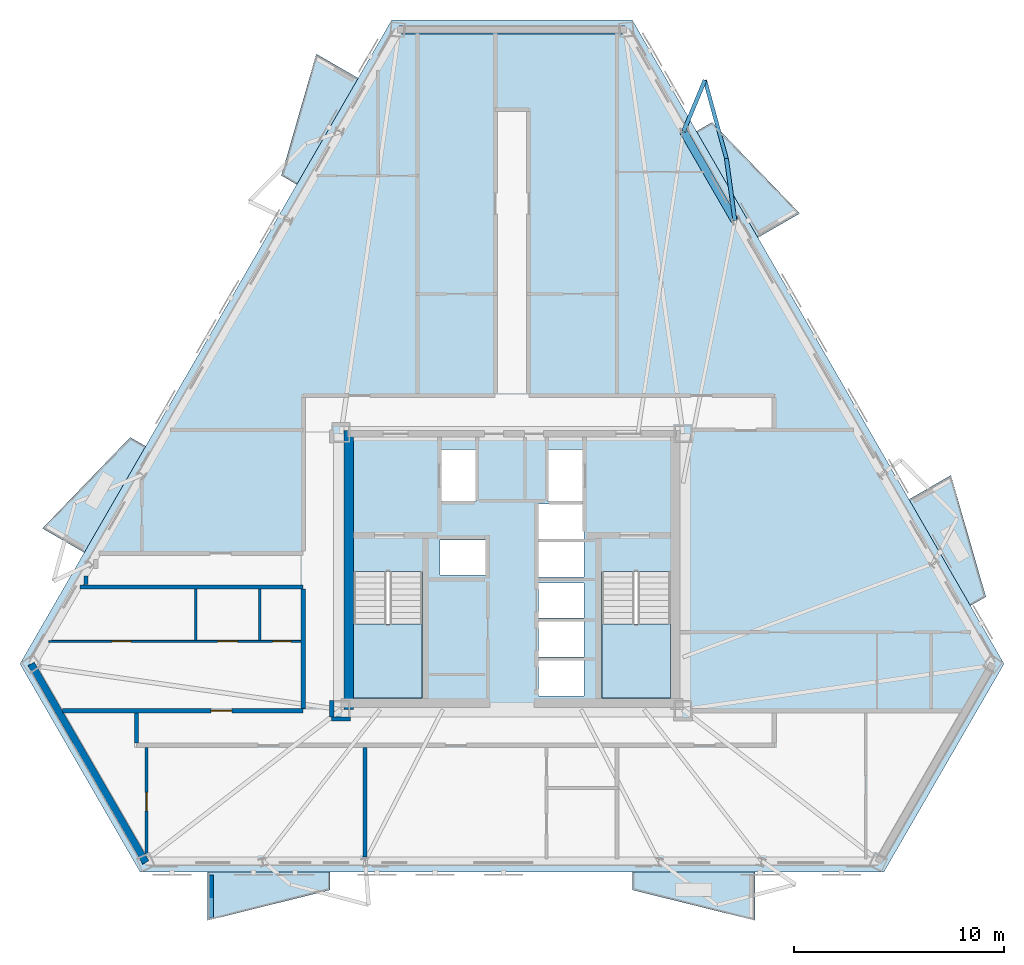
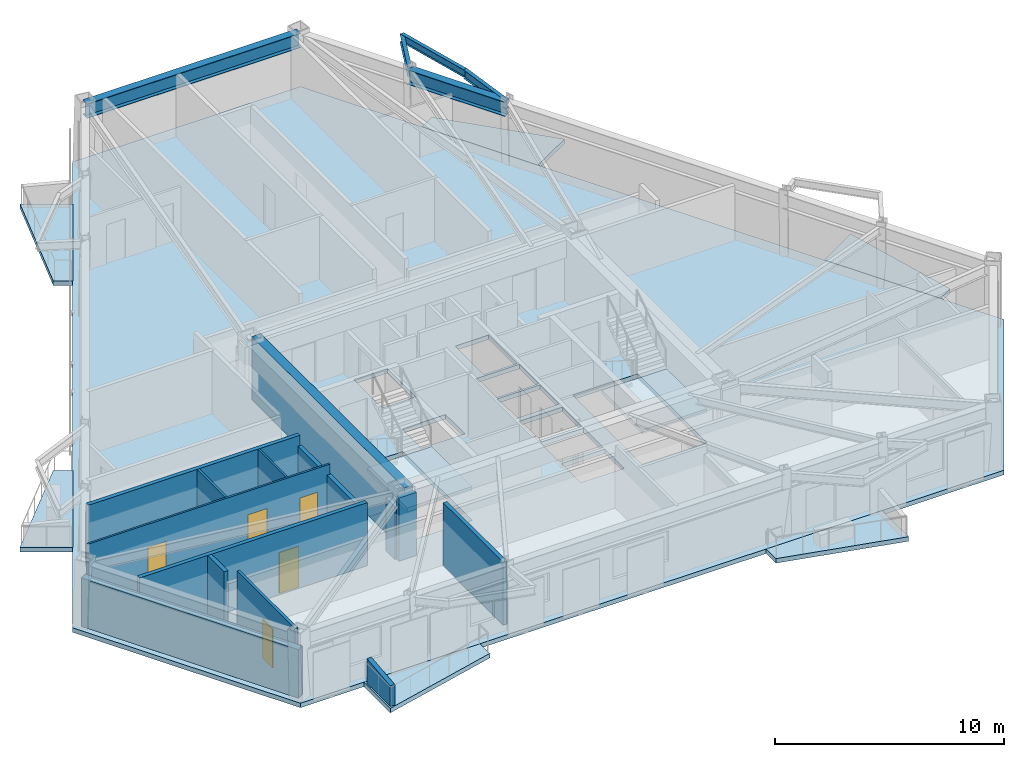
# One storey, part 2 of 9: 15 walls, 9 slabs, 5 beams, 5 doors, 5 openings, 2 elements without a shape of their own.
"""IFC4 building model written with IfcOpenShell, lengths in metres."""

from ifc_helpers import new_model, si_unit, direction, frame, frame_2d, origin, origin_2d, place, context, subcontext, project, spatial, polyline, rectangle, i_section, outline, extrude, material, layer, layer_set, material_profile, profile_set, type_object, element, fill, aggregate, save


model = new_model("IFC4")

# Units and contexts
model_context = context("Model", 3, precision=1e-05, world=origin(), true_north=direction((0.0, 1.0)))
body_context = subcontext(model_context, "Body", "Model", "MODEL_VIEW")
ifc_project = project(units=[si_unit("LENGTHUNIT", "METRE"), si_unit("AREAUNIT", "SQUARE_METRE"), si_unit("VOLUMEUNIT", "CUBIC_METRE"), si_unit("PLANEANGLEUNIT", "RADIAN"), si_unit("MASSUNIT", "GRAM", prefix="KILO")], contexts=[model_context])

# Site, building, storey
site_placement = place(None, origin())
site = spatial("IfcSite", under=ifc_project, at=site_placement, CompositionType="ELEMENT")
building_placement = place(site_placement, origin())
building = spatial("IfcBuilding", under=site, at=building_placement, Name="Oramaril Tower", CompositionType="ELEMENT")
storey_placement = place(building_placement, frame((0.0, 0.0, 119.39990234375)))
storey = spatial("IfcBuildingStorey", under=building, at=storey_placement, Name="L31", CompositionType="ELEMENT", Elevation=119.39990234375)

# Beams
ifc_material_1 = material(Name="Steel ASTM A572 Gr 50", Category="steel")
ifc_material_profile_1 = material_profile(ifc_material_1, i_section(OverallWidth=0.19091796875, OverallDepth=0.45703125, WebThickness=0.009033203125, FlangeThickness=0.014404296875, at=origin_2d()), Name="W18X50")
ifc_profile_set_1 = profile_set([ifc_material_profile_1], Name="Steel ASTM A572 Gr 50")
beam_type_1 = type_object("IfcBeamType", Name="BT-BB1", PredefinedType="BEAM", material=ifc_profile_set_1)
beam_1_placement = place(storey_placement, frame((48.1220703125, 34.309814453125, 3.131591796875), z_axis=(-0.135368856864, 0.990795272794, 0.0), x_axis=(-0.990795272794, -0.135368856864, 0.0)))
element("IfcBeam", 1, at=beam_1_placement, inside=storey, type_object=beam_type_1, Name="L31 Balcony Column-Framed Cantilever 04.1", PredefinedType="BEAM", context=body_context, shape_type="SweptSolid", body=[
    extrude(i_section(OverallWidth=0.19091796875, OverallDepth=0.45703125, WebThickness=0.009033203125, FlangeThickness=0.014404296875, at=origin_2d()), origin(), (0.0, 0.0, 1.0), 2.98291015625),
])
beam_2_placement = place(storey_placement, frame((45.673583984375, 38.550537109375, 3.131591796875), z_axis=(0.385190565958, 0.922837053816, 0.0), x_axis=(-0.922837053816, 0.385190565958, 0.0)))
element("IfcBeam", 2, at=beam_2_placement, inside=storey, type_object=beam_type_1, Name="L31 Balcony Column-Framed Cantilever 04.2", PredefinedType="BEAM", context=body_context, shape_type="SweptSolid", body=[
    extrude(i_section(OverallWidth=0.19091796875, OverallDepth=0.45703125, WebThickness=0.009033203125, FlangeThickness=0.014404296875, at=origin_2d()), origin(), (0.0, 0.0, 1.0), 2.65185546875),
])
ifc_material_2 = material(Name="Steel ASTM A572 Gr 50", Category="steel")
ifc_material_profile_2 = material_profile(ifc_material_2, i_section(OverallWidth=0.177978515625, OverallDepth=0.404052734375, WebThickness=0.007568359375, FlangeThickness=0.010986328125, at=origin_2d()), Name="W16X36")
ifc_profile_set_2 = profile_set([ifc_material_profile_2], Name="Steel ASTM A572 Gr 50")
beam_type_2 = type_object("IfcBeamType", Name="BT-SB1", PredefinedType="BEAM", material=ifc_profile_set_2)
beam_3_placement = place(storey_placement, frame((47.71826171875, 37.265380859375, 3.158203125), z_axis=(-0.264382243015, 0.964417974521, 0.0), x_axis=(-0.964417974521, -0.264382243015, 0.0)))
element("IfcBeam", 3, at=beam_3_placement, inside=storey, type_object=beam_type_2, Name="L31 Balcony Edge Tie Beam 04", PredefinedType="BEAM", context=body_context, shape_type="SweptSolid", body=[
    extrude(i_section(OverallWidth=0.177978515625, OverallDepth=0.404052734375, WebThickness=0.007568359375, FlangeThickness=0.010986328125, at=origin_2d()), origin(), (0.0, 0.0, 1.0), 3.8701171875),
])
ifc_material_3 = material(Name="Steel ASTM A572 Gr 50", Category="steel")
ifc_material_profile_3 = material_profile(ifc_material_3, i_section(OverallWidth=0.381103515625, OverallDepth=0.77197265625, WebThickness=0.0166015625, FlangeThickness=0.027099609375, at=origin_2d()), Name="W30X173")
ifc_profile_set_3 = profile_set([ifc_material_profile_3], Name="Steel ASTM A572 Gr 50")
beam_type_3 = type_object("IfcBeamType", Name="BT-SP2", PredefinedType="SPANDREL", material=ifc_profile_set_3)
beam_4_placement = place(storey_placement, frame((48.1220703125, 34.309814453125, 2.97412109375), z_axis=(-0.500015922655, 0.86601621064, 0.0), x_axis=(-0.86601621064, -0.500015922655, 0.0)))
element("IfcBeam", 4, at=beam_4_placement, inside=storey, type_object=beam_type_3, Name="L31 Perimeter Spandrel 11", PredefinedType="SPANDREL", context=body_context, shape_type="SweptSolid", body=[
    extrude(i_section(OverallWidth=0.381103515625, OverallDepth=0.77197265625, WebThickness=0.0166015625, FlangeThickness=0.027099609375, at=origin_2d()), origin(), (0.0, 0.0, 1.0), 4.896728515625),
])
beam_5_placement = place(storey_placement, frame((42.875732421875, 43.39697265625, 2.97412109375), z_axis=(-1.0, 0.0, 0.0), x_axis=(0.0, -1.0, 0.0)))
element("IfcBeam", 5, at=beam_5_placement, inside=storey, type_object=beam_type_3, Name="L31 Perimeter Spandrel 13", PredefinedType="SPANDREL", context=body_context, shape_type="SweptSolid", body=[
    extrude(i_section(OverallWidth=0.381103515625, OverallDepth=0.77197265625, WebThickness=0.0166015625, FlangeThickness=0.027099609375, at=origin_2d()), origin(), (0.0, 0.0, 1.0), 10.75146484375),
])

# Slabs
ifc_material_4 = material(Name="Concrete C40/50", Category="concrete")
ifc_layer_1 = layer(ifc_material_4, 0.199951171875)
ifc_layer_set_1 = layer_set([ifc_layer_1], Name="SLT-BAL20")
slab_type_1 = type_object("IfcSlabType", Name="SLT-BAL20", PredefinedType="FLOOR", material=ifc_layer_set_1)
slab_1_placement = place(storey_placement, frame((0.0, 0.0, -0.239990234375)))
element("IfcSlab", 6, at=slab_1_placement, inside=storey, type_object=slab_type_1, Name="L31 Cantilevered Balcony Slab L31-BAL-S1", PredefinedType="FLOOR", context=body_context, shape_type="SweptSolid", body=[
    extrude(outline(polyline([(22.983642578125, 3.2548828125), (28.833740234375, 3.2548828125), (28.833740234375, 2.403076171875), (22.983642578125, 0.952880859375), (22.983642578125, 3.2548828125)])), origin(), (0.0, 0.0, 1.0), 0.239990234375),
])
slab_2_placement = place(storey_placement, frame((0.0, 0.0, -0.239990234375)))
element("IfcSlab", 7, at=slab_2_placement, inside=storey, type_object=slab_type_1, Name="L31 Cantilevered Balcony Slab L31-BAL-NE2", PredefinedType="FLOOR", context=body_context, shape_type="SweptSolid", body=[
    extrude(outline(polyline([(49.217529296875, 33.494384765625), (46.29248046875, 38.560791015625), (47.0302734375, 38.98681640625), (51.211181640625, 34.6455078125), (49.217529296875, 33.494384765625)])), origin(), (0.0, 0.0, 1.0), 0.239990234375),
])
slab_3_placement = place(storey_placement, frame((0.0, 0.0, -0.239990234375)))
element("IfcSlab", 8, at=slab_3_placement, inside=storey, type_object=slab_type_1, Name="L31 Cantilevered Balcony Slab L31-BAL-NW1", PredefinedType="FLOOR", context=body_context, shape_type="SweptSolid", body=[
    extrude(outline(polyline([(30.169921875, 41.093994140625), (27.2451171875, 36.027587890625), (26.507080078125, 36.45361328125), (28.176513671875, 42.244873046875), (30.169921875, 41.093994140625)])), origin(), (0.0, 0.0, 1.0), 0.239990234375),
])
ifc_material_5 = material(Name="Concrete C50/60", Category="concrete")
ifc_layer_2 = layer(ifc_material_5, 0.239990234375)
ifc_layer_set_2 = layer_set([ifc_layer_2], Name="SLT-FLR24")
slab_type_2 = type_object("IfcSlabType", Name="SLT-FLR24", PredefinedType="FLOOR", material=ifc_layer_set_2)
slab_4_placement = place(storey_placement, frame((0.0, 0.0, -0.239990234375)))
element("IfcSlab", 9, at=slab_4_placement, inside=storey, type_object=slab_type_2, Name="L31 Structural Floor Slab", PredefinedType="FLOOR", context=body_context, shape_type="SweptSolid", body=[
    extrude(outline(polyline([(14.052001953125, 13.1806640625), (19.78369140625, 3.2529296875), (55.21630859375, 3.2529296875), (60.947998046875, 13.1806640625), (43.231689453125, 43.8662109375), (31.768310546875, 43.8662109375), (14.052001953125, 13.1806640625)]), holes=[polyline([(29.949951171875, 17.58935546875), (29.949951171875, 11.550048828125), (33.219970703125, 11.550048828125), (33.219970703125, 17.58935546875), (29.949951171875, 17.58935546875)]), polyline([(41.780029296875, 17.58935546875), (41.780029296875, 11.550048828125), (45.050048828125, 11.550048828125), (45.050048828125, 17.58935546875), (41.780029296875, 17.58935546875)]), polyline([(34.110107421875, 20.909912109375), (35.7900390625, 20.909912109375), (35.7900390625, 23.389892578125), (34.110107421875, 23.389892578125), (34.110107421875, 20.909912109375)]), polyline([(39.2099609375, 20.909912109375), (40.889892578125, 20.909912109375), (40.889892578125, 23.389892578125), (39.2099609375, 23.389892578125), (39.2099609375, 20.909912109375)]), polyline([(38.760009765625, 11.659912109375), (40.93994140625, 11.659912109375), (40.93994140625, 13.340087890625), (38.760009765625, 13.340087890625), (38.760009765625, 11.659912109375)]), polyline([(38.760009765625, 13.510009765625), (40.93994140625, 13.510009765625), (40.93994140625, 15.18994140625), (38.760009765625, 15.18994140625), (38.760009765625, 13.510009765625)]), polyline([(38.760009765625, 15.360107421875), (40.93994140625, 15.360107421875), (40.93994140625, 17.0400390625), (38.760009765625, 17.0400390625), (38.760009765625, 15.360107421875)]), polyline([(34.06005859375, 17.409912109375), (36.239990234375, 17.409912109375), (36.239990234375, 19.090087890625), (34.06005859375, 19.090087890625), (34.06005859375, 17.409912109375)]), polyline([(38.760009765625, 17.31005859375), (40.93994140625, 17.31005859375), (40.93994140625, 18.989990234375), (38.760009765625, 18.989990234375), (38.760009765625, 17.31005859375)]), polyline([(38.760009765625, 19.110107421875), (40.93994140625, 19.110107421875), (40.93994140625, 20.7900390625), (38.760009765625, 20.7900390625), (38.760009765625, 19.110107421875)])]), origin(), (0.0, 0.0, 1.0), 0.239990234375),
])

# Stair, slab
ifc_material_6 = material(Name="Concrete C50/60", Category="concrete")
stair_type = type_object("IfcStairType", Name="STT-DG-3600", PredefinedType="HALF_TURN_STAIR", material=ifc_material_6)
stair_1_placement = place(storey_placement, origin())
stair_1 = element("IfcStair", 10, at=stair_1_placement, inside=storey, type_object=stair_type, Name="L31 Protected PFP Exit Stair ST-1", PredefinedType="HALF_TURN_STAIR")
ifc_material_7 = material(Name="Concrete C50/60", Category="concrete")
ifc_layer_3 = layer(ifc_material_7, 0.199951171875)
ifc_layer_set_3 = layer_set([ifc_layer_3], Name="SLT-LND20")
slab_type_3 = type_object("IfcSlabType", Name="SLT-LND20", PredefinedType="LANDING", material=ifc_layer_set_3)
slab_5_placement = place(storey_placement, frame((0.0, 0.0, 1.60009765625)))
slab_5 = element("IfcSlab", 11, at=slab_5_placement, type_object=slab_type_3, Name="ST-1 landing 1", PredefinedType="LANDING", context=body_context, shape_type="SweptSolid", body=[
    extrude(outline(polyline([(29.949951171875, 15.070068359375), (29.949951171875, 11.550048828125), (33.219970703125, 11.550048828125), (33.219970703125, 15.070068359375), (29.949951171875, 15.070068359375)])), origin(), (0.0, 0.0, 1.0), 0.199951171875),
])
aggregate(stair_1, [slab_5])

stair_2_placement = place(storey_placement, origin())
stair_2 = element("IfcStair", 12, at=stair_2_placement, inside=storey, type_object=stair_type, Name="L31 Protected PFP Exit Stair ST-2", PredefinedType="HALF_TURN_STAIR")
slab_6_placement = place(storey_placement, frame((0.0, 0.0, 1.60009765625)))
slab_6 = element("IfcSlab", 13, at=slab_6_placement, type_object=slab_type_3, Name="ST-2 landing 1", PredefinedType="LANDING", context=body_context, shape_type="SweptSolid", body=[
    extrude(outline(polyline([(41.780029296875, 15.070068359375), (41.780029296875, 11.550048828125), (45.050048828125, 11.550048828125), (45.050048828125, 15.070068359375), (41.780029296875, 15.070068359375)])), origin(), (0.0, 0.0, 1.0), 0.199951171875),
])
aggregate(stair_2, [slab_6])

# Slabs
ifc_material_8 = material(Name="Concrete C40/50", Category="concrete")
ifc_layer_4 = layer(ifc_material_8, 0.18994140625)
ifc_layer_set_4 = layer_set([ifc_layer_4], Name="SLT-PLN19")
slab_type_4 = type_object("IfcSlabType", Name="SLT-PLN19", PredefinedType="FLOOR", material=ifc_layer_set_4)
slab_7_placement = place(storey_placement, frame((0.0, 0.0, -0.239990234375)))
element("IfcSlab", 14, at=slab_7_placement, inside=storey, type_object=slab_type_4, Name="L31 Tree Planter Balcony Slab L31-BAL-S2", PredefinedType="FLOOR", context=body_context, shape_type="SweptSolid", body=[
    extrude(outline(polyline([(43.2412109375, 3.2548828125), (49.09130859375, 3.2548828125), (49.09130859375, 0.952880859375), (43.2412109375, 2.403076171875), (43.2412109375, 3.2548828125)])), origin(), (0.0, 0.0, 1.0), 0.239990234375),
])
slab_8_placement = place(storey_placement, frame((0.0, 0.0, -0.239990234375)))
element("IfcSlab", 15, at=slab_8_placement, inside=storey, type_object=slab_type_4, Name="L31 Tree Planter Balcony Slab L31-BAL-NE1", PredefinedType="FLOOR", context=body_context, shape_type="SweptSolid", body=[
    extrude(outline(polyline([(59.34619140625, 15.950927734375), (56.42138671875, 21.01708984375), (58.414794921875, 22.168212890625), (60.083984375, 16.376953125), (59.34619140625, 15.950927734375)])), origin(), (0.0, 0.0, 1.0), 0.239990234375),
])
slab_9_placement = place(storey_placement, frame((0.0, 0.0, -0.239990234375)))
element("IfcSlab", 16, at=slab_9_placement, inside=storey, type_object=slab_type_4, Name="L31 Tree Planter Balcony Slab L31-BAL-NW2", PredefinedType="FLOOR", context=body_context, shape_type="SweptSolid", body=[
    extrude(outline(polyline([(20.041259765625, 23.55029296875), (17.1162109375, 18.484130859375), (15.12255859375, 19.635009765625), (19.303466796875, 23.976318359375), (20.041259765625, 23.55029296875)])), origin(), (0.0, 0.0, 1.0), 0.239990234375),
])

# Walls
ifc_material_9 = material(Name="Warm Cream Limestone", Category="masonry")
ifc_layer_5 = layer(ifc_material_9, 0.340087890625)
ifc_layer_set_5 = layer_set([ifc_layer_5], Name="WT-EXT34")
wall_type_1 = type_object("IfcWallType", Name="WT-EXT34", PredefinedType="SOLIDWALL", material=ifc_layer_set_5)
wall_1_placement = place(storey_placement, frame((14.583251953125, 13.1806640625, 0.0), z_axis=(0.0, 0.0, 1.0), x_axis=(0.49998922304, -0.866031625776, 0.0)))
element("IfcWall", 17, at=wall_1_placement, inside=storey, type_object=wall_type_1, Name="L31 Tower Limestone Facade Wall 1M", PredefinedType="SOLIDWALL", context=body_context, shape_type="SweptSolid", body=[
    extrude(rectangle(XDim=10.932373046875, YDim=0.340087890625, at=frame_2d((5.46630859375, 0.0))), origin(), (0.0, 0.0, 1.0), 2.578125),
])
ifc_material_10 = material(Name="Concrete C40/50", Category="concrete")
ifc_layer_6 = layer(ifc_material_10, 0.22998046875)
ifc_layer_set_6 = layer_set([ifc_layer_6], Name="WT-PRP23")
wall_type_2 = type_object("IfcWallType", Name="WT-PRP23", PredefinedType="PARAPET", material=ifc_layer_set_6)
wall_2_placement = place(storey_placement, frame((23.163818359375, 3.114990234375, 0.0), z_axis=(0.0, 0.0, 1.0), x_axis=(0.0, -1.0, 0.0)))
element("IfcWall", 18, at=wall_2_placement, inside=storey, type_object=wall_type_2, Name="L31 Trapezoidal Balcony Frame Cheek L31-BAL-S1-L", PredefinedType="PARAPET", context=body_context, shape_type="SweptSolid", body=[
    extrude(outline(polyline([(0.0, 0.0), (2.0419921875, 0.0), (2.0419921875, 1.10009765625), (0.0, 1.320068359375), (0.0, 0.0)])), frame((0.0, 0.114990234375, 0.0), z_axis=(0.0, -1.0, 0.0), x_axis=(1.0, 0.0, 0.0)), (0.0, 0.0, 1.0), 0.22998046875),
])

# Wall, openings, doors
ifc_material_11 = material(Name="Acoustic Gypsum Board Partition")
ifc_layer_7 = layer(ifc_material_11, 0.10009765625)
ifc_layer_set_7 = layer_set([ifc_layer_7], Name="WT-PT10")
wall_type_3 = type_object("IfcWallType", Name="WT-PT10", PredefinedType="PARTITIONING", material=ifc_layer_set_7)
wall_3_placement = place(storey_placement, frame((15.401611328125, 14.25, 0.0), z_axis=(0.0, 0.0, 1.0), x_axis=(1.0, 0.0, 0.0)))
wall_3 = element("IfcWall", 19, at=wall_3_placement, inside=storey, type_object=wall_type_3, Name="L31 Interior Partition PT-10", PredefinedType="PARTITIONING", context=body_context, shape_type="SweptSolid", body=[
    extrude(rectangle(XDim=12.198486328125, YDim=0.10009765625, at=frame_2d((6.09912109375, 0.0))), origin(), (0.0, 0.0, 1.0), 3.360107421875),
])
opening_1_placement = place(wall_3_placement, frame((3.024658203125, 0.0, 0.0)))
opening_1 = element("IfcOpeningElement", 20, at=opening_1_placement, cuts=wall_3, Name="Opening D-L31-05", PredefinedType="OPENING", context=body_context, shape_type="SweptSolid", body=[
    extrude(rectangle(XDim=0.919921875, YDim=2.1201171875, at=frame_2d((0.4599609375, 1.06005859375))), frame((0.0, 0.050048828125, 0.0), z_axis=(0.0, -1.0, 0.0), x_axis=(1.0, 0.0, 0.0)), (0.0, 0.0, 1.0), 0.10009765625),
])
opening_2_placement = place(wall_3_placement, frame((8.07470703125, 0.0, 0.0)))
opening_2 = element("IfcOpeningElement", 21, at=opening_2_placement, cuts=wall_3, Name="Opening D-L31-06", PredefinedType="OPENING", context=body_context, shape_type="SweptSolid", body=[
    extrude(rectangle(XDim=0.949951171875, YDim=2.10009765625, at=frame_2d((0.47509765625, 1.050048828125))), frame((0.0, 0.050048828125, 0.0), z_axis=(0.0, -1.0, 0.0), x_axis=(1.0, 0.0, 0.0)), (0.0, 0.0, 1.0), 0.10009765625),
])
opening_3_placement = place(wall_3_placement, frame((10.686767578125, 0.0, 0.0)))
opening_3 = element("IfcOpeningElement", 22, at=opening_3_placement, cuts=wall_3, Name="Opening D-L31-07", PredefinedType="OPENING", context=body_context, shape_type="SweptSolid", body=[
    extrude(rectangle(XDim=0.8798828125, YDim=2.080078125, at=frame_2d((0.43994140625, 1.0400390625))), frame((0.0, 0.050048828125, 0.0), z_axis=(0.0, -1.0, 0.0), x_axis=(1.0, 0.0, 0.0)), (0.0, 0.0, 1.0), 0.10009765625),
])
ifc_material_12 = material(Name="FSC Brazilian Freijo Hardwood", Category="wood")
door_type_1 = type_object("IfcDoorType", Name="DT-BATH", OperationType="NOTDEFINED", PredefinedType="DOOR", material=ifc_material_12)
door_1_placement = place(opening_3_placement, origin())
door_1 = element("IfcDoor", 23, at=door_1_placement, inside=storey, type_object=door_type_1, Name="L31 Flat L31-U4 Bathroom Door D-L31-07", OperationType="SINGLE_SWING_LEFT", OverallHeight=2.080078125, OverallWidth=0.8798828125, PredefinedType="DOOR", context=body_context, shape_type="SweptSolid", body=[
    extrude(rectangle(XDim=0.8798828125, YDim=2.080078125, at=frame_2d((0.43994140625, 1.0400390625))), frame((0.0, 0.02490234375, 0.0), z_axis=(0.0, -1.0, 0.0), x_axis=(1.0, 0.0, 0.0)), (0.0, 0.0, 1.0), 0.050048828125),
])
fill(opening_3, door_1)
ifc_material_13 = material(Name="FSC Brazilian Freijo Hardwood", Category="wood")
door_type_2 = type_object("IfcDoorType", Name="DT-BED", OperationType="NOTDEFINED", PredefinedType="DOOR", material=ifc_material_13)
door_2_placement = place(opening_1_placement, origin())
door_2 = element("IfcDoor", 24, at=door_2_placement, inside=storey, type_object=door_type_2, Name="L31 Flat L31-U4 Master Bedroom Door D-L31-05", OperationType="SINGLE_SWING_LEFT", OverallHeight=2.1201171875, OverallWidth=0.919921875, PredefinedType="DOOR", context=body_context, shape_type="SweptSolid", body=[
    extrude(rectangle(XDim=0.919921875, YDim=2.1201171875, at=frame_2d((0.4599609375, 1.06005859375))), frame((0.0, 0.02490234375, 0.0), z_axis=(0.0, -1.0, 0.0), x_axis=(1.0, 0.0, 0.0)), (0.0, 0.0, 1.0), 0.050048828125),
])
fill(opening_1, door_2)
ifc_material_14 = material(Name="FSC Brazilian Freijo Hardwood", Category="wood")
door_type_3 = type_object("IfcDoorType", Name="DT-STDY", OperationType="NOTDEFINED", PredefinedType="DOOR", material=ifc_material_14)
door_3_placement = place(opening_2_placement, origin())
door_3 = element("IfcDoor", 25, at=door_3_placement, inside=storey, type_object=door_type_3, Name="L31 Flat L31-U4 Kitchen Door D-L31-06", OperationType="SINGLE_SWING_RIGHT", OverallHeight=2.10009765625, OverallWidth=0.949951171875, PredefinedType="DOOR", context=body_context, shape_type="SweptSolid", body=[
    extrude(rectangle(XDim=0.949951171875, YDim=2.10009765625, at=frame_2d((0.47509765625, 1.050048828125))), frame((0.0, 0.02490234375, 0.0), z_axis=(0.0, -1.0, 0.0), x_axis=(1.0, 0.0, 0.0)), (0.0, 0.0, 1.0), 0.050048828125),
])
fill(opening_2, door_3)

# Walls
wall_4_placement = place(storey_placement, frame((25.47998046875, 14.303955078125, 0.0), z_axis=(0.0, 0.0, 1.0), x_axis=(0.0, 1.0, 0.0)))
element("IfcWall", 26, at=wall_4_placement, inside=storey, type_object=wall_type_3, Name="L31 Interior Partition PT-10", PredefinedType="PARTITIONING", context=body_context, shape_type="SweptSolid", body=[
    extrude(rectangle(XDim=2.442138671875, YDim=0.10009765625, at=frame_2d((1.22119140625, 0.0))), origin(), (0.0, 0.0, 1.0), 3.360107421875),
])
ifc_material_15 = material(Name="Acoustic Gypsum Board Partition")
ifc_layer_8 = layer(ifc_material_15, 0.1201171875)
ifc_layer_set_8 = layer_set([ifc_layer_8], Name="WT-PT12")
wall_type_4 = type_object("IfcWallType", Name="WT-PT12", PredefinedType="PARTITIONING", material=ifc_layer_set_8)
wall_5_placement = place(storey_placement, frame((22.429931640625, 14.303955078125, 0.0), z_axis=(0.0, 0.0, 1.0), x_axis=(0.0, 1.0, 0.0)))
element("IfcWall", 27, at=wall_5_placement, inside=storey, type_object=wall_type_4, Name="L31 Interior Partition PT-12", PredefinedType="PARTITIONING", context=body_context, shape_type="SweptSolid", body=[
    extrude(rectangle(XDim=2.442138671875, YDim=0.1201171875, at=frame_2d((1.22119140625, 0.0))), origin(), (0.0, 0.0, 1.0), 3.360107421875),
])

# Wall, opening, door
ifc_material_16 = material(Name="Acoustic Gypsum Board Partition")
ifc_layer_9 = layer(ifc_material_16, 0.139892578125)
ifc_layer_set_9 = layer_set([ifc_layer_9], Name="WT-PT14")
wall_type_5 = type_object("IfcWallType", Name="WT-PT14", PredefinedType="PARTITIONING", material=ifc_layer_set_9)
wall_6_placement = place(storey_placement, frame((20.090087890625, 4.11962890625, 0.0), z_axis=(0.0, 0.0, 1.0), x_axis=(0.0, 1.0, 0.0)))
wall_6 = element("IfcWall", 28, at=wall_6_placement, inside=storey, type_object=wall_type_5, Name="L31 Interior Partition PT-14", PredefinedType="PARTITIONING", context=body_context, shape_type="SweptSolid", body=[
    extrude(rectangle(XDim=5.076416015625, YDim=0.139892578125, at=frame_2d((2.5380859375, 0.0))), origin(), (0.0, 0.0, 1.0), 3.360107421875),
])
opening_4_placement = place(wall_6_placement, frame((2.057373046875, 0.0, 0.0)))
opening_4 = element("IfcOpeningElement", 29, at=opening_4_placement, cuts=wall_6, Name="Opening D-L31-21", PredefinedType="OPENING", context=body_context, shape_type="SweptSolid", body=[
    extrude(rectangle(XDim=0.8798828125, YDim=2.080078125, at=frame_2d((0.43994140625, 1.0400390625))), frame((0.0, 0.06982421875, 0.0), z_axis=(0.0, -1.0, 0.0), x_axis=(1.0, 0.0, 0.0)), (0.0, 0.0, 1.0), 0.139892578125),
])
door_4_placement = place(opening_4_placement, origin())
door_4 = element("IfcDoor", 30, at=door_4_placement, inside=storey, type_object=door_type_1, Name="L31 Flat L31-U1 Bathroom Door D-L31-21", OperationType="SINGLE_SWING_LEFT", OverallHeight=2.080078125, OverallWidth=0.8798828125, PredefinedType="DOOR", context=body_context, shape_type="SweptSolid", body=[
    extrude(rectangle(XDim=0.8798828125, YDim=2.080078125, at=frame_2d((0.43994140625, 1.0400390625))), frame((0.0, 0.02490234375, 0.0), z_axis=(0.0, -1.0, 0.0), x_axis=(1.0, 0.0, 0.0)), (0.0, 0.0, 1.0), 0.050048828125),
])
fill(opening_4, door_4)

# Wall
ifc_material_17 = material(Name="Autoclaved Cellular Concrete Block", Category="concrete")
ifc_layer_10 = layer(ifc_material_17, 0.199951171875)
ifc_layer_set_10 = layer_set([ifc_layer_10], Name="WT-PT20")
wall_type_6 = type_object("IfcWallType", Name="WT-PT20", PredefinedType="PARTITIONING", material=ifc_layer_set_10)
wall_7_placement = place(storey_placement, frame((28.905029296875, 10.550048828125, 0.0), z_axis=(0.0, 0.0, 1.0), x_axis=(1.0, 0.0, 0.0)))
element("IfcWall", 31, at=wall_7_placement, inside=storey, type_object=wall_type_6, Name="L31 Interior Partition PT-20", PredefinedType="PARTITIONING", context=body_context, shape_type="SweptSolid", body=[
    extrude(rectangle(XDim=0.889892578125, YDim=0.199951171875, at=frame_2d((0.44482421875, 0.0))), origin(), (0.0, 0.0, 1.0), 3.360107421875),
])

# Wall, opening, door
wall_8_placement = place(storey_placement, frame((16.072021484375, 10.949951171875, 0.0), z_axis=(0.0, 0.0, 1.0), x_axis=(1.0, 0.0, 0.0)))
wall_8 = element("IfcWall", 32, at=wall_8_placement, inside=storey, type_object=wall_type_6, Name="L31 Interior Partition PT-20", PredefinedType="PARTITIONING", context=body_context, shape_type="SweptSolid", body=[
    extrude(rectangle(XDim=11.47802734375, YDim=0.199951171875, at=frame_2d((5.739013671875, 0.0))), origin(), (0.0, 0.0, 1.0), 3.360107421875),
])
opening_5_placement = place(wall_8_placement, frame((7.0771484375, 0.0, 0.0)))
opening_5 = element("IfcOpeningElement", 33, at=opening_5_placement, cuts=wall_8, Name="Opening D-L31-04", PredefinedType="OPENING", context=body_context, shape_type="SweptSolid", body=[
    extrude(rectangle(XDim=1.0, YDim=2.179931640625, at=frame_2d((0.5, 1.08984375))), frame((0.0, 0.10009765625, 0.0), z_axis=(0.0, -1.0, 0.0), x_axis=(1.0, 0.0, 0.0)), (0.0, 0.0, 1.0), 0.199951171875),
])
ifc_material_18 = material(Name="FSC Brazilian Freijo Hardwood", Category="wood")
door_type_4 = type_object("IfcDoorType", Name="DT-APT", OperationType="NOTDEFINED", PredefinedType="DOOR", material=ifc_material_18)
door_5_placement = place(opening_5_placement, origin())
door_5 = element("IfcDoor", 34, at=door_5_placement, inside=storey, type_object=door_type_4, Name="L31 Flat L31-U4 Living and Dining Room Door D-L31-04", OperationType="SINGLE_SWING_RIGHT", OverallHeight=2.179931640625, OverallWidth=1.0, PredefinedType="DOOR", context=body_context, shape_type="SweptSolid", body=[
    extrude(rectangle(XDim=1.0, YDim=2.179931640625, at=frame_2d((0.5, 1.08984375))), frame((0.0, 0.02490234375, 0.0), z_axis=(0.0, -1.0, 0.0), x_axis=(1.0, 0.0, 0.0)), (0.0, 0.0, 1.0), 0.050048828125),
])
fill(opening_5, door_5)

# Walls
wall_9_placement = place(storey_placement, frame((16.902587890625, 16.85009765625, 0.0), z_axis=(0.0, 0.0, 1.0), x_axis=(1.0, 0.0, 0.0)))
element("IfcWall", 35, at=wall_9_placement, inside=storey, type_object=wall_type_6, Name="L31 Interior Partition PT-20", PredefinedType="PARTITIONING", context=body_context, shape_type="SweptSolid", body=[
    extrude(rectangle(XDim=10.6474609375, YDim=0.199951171875, at=frame_2d((5.32373046875, 0.0))), origin(), (0.0, 0.0, 1.0), 3.360107421875),
])
wall_10_placement = place(storey_placement, frame((17.199951171875, 16.9541015625, 0.0), z_axis=(0.0, 0.0, 1.0), x_axis=(0.0, 1.0, 0.0)))
element("IfcWall", 36, at=wall_10_placement, inside=storey, type_object=wall_type_6, Name="L31 Interior Partition PT-20", PredefinedType="PARTITIONING", context=body_context, shape_type="SweptSolid", body=[
    extrude(rectangle(XDim=0.410888671875, YDim=0.199951171875, at=frame_2d((0.20556640625, 0.0))), origin(), (0.0, 0.0, 1.0), 2.578125),
])
wall_11_placement = place(storey_placement, frame((19.60009765625, 9.404052734375, 0.0), z_axis=(0.0, 0.0, 1.0), x_axis=(0.0, 1.0, 0.0)))
element("IfcWall", 37, at=wall_11_placement, inside=storey, type_object=wall_type_6, Name="L31 Interior Partition PT-20", PredefinedType="PARTITIONING", context=body_context, shape_type="SweptSolid", body=[
    extrude(rectangle(XDim=1.44189453125, YDim=0.199951171875, at=frame_2d((0.720947265625, 0.0))), origin(), (0.0, 0.0, 1.0), 3.360107421875),
])
wall_12_placement = place(storey_placement, frame((27.550048828125, 11.053955078125, 0.0), z_axis=(0.0, 0.0, 1.0), x_axis=(0.0, 1.0, 0.0)))
element("IfcWall", 38, at=wall_12_placement, inside=storey, type_object=wall_type_6, Name="L31 Interior Partition PT-20", PredefinedType="PARTITIONING", context=body_context, shape_type="SweptSolid", body=[
    extrude(rectangle(XDim=5.692138671875, YDim=0.199951171875, at=frame_2d((2.84619140625, 0.0))), origin(), (0.0, 0.0, 1.0), 2.814208984375),
])
wall_13_placement = place(storey_placement, frame((28.909912109375, 10.654052734375, 0.0), z_axis=(0.0, 0.0, 1.0), x_axis=(0.0, 1.0, 0.0)))
element("IfcWall", 39, at=wall_13_placement, inside=storey, type_object=wall_type_6, Name="L31 Interior Partition PT-20", PredefinedType="PARTITIONING", context=body_context, shape_type="SweptSolid", body=[
    extrude(rectangle(XDim=0.785888671875, YDim=0.199951171875, at=frame_2d((0.39306640625, 0.0))), origin(), (0.0, 0.0, 1.0), 2.814208984375),
])
wall_14_placement = place(storey_placement, frame((30.5, 3.9716796875, 0.0), z_axis=(0.0, 0.0, 1.0), x_axis=(0.0, 1.0, 0.0)))
element("IfcWall", 40, at=wall_14_placement, inside=storey, type_object=wall_type_6, Name="L31 Interior Partition PT-20", PredefinedType="PARTITIONING", context=body_context, shape_type="SweptSolid", body=[
    extrude(rectangle(XDim=5.224365234375, YDim=0.199951171875, at=frame_2d((2.6123046875, 0.0))), origin(), (0.0, 0.0, 1.0), 3.360107421875),
])
ifc_material_19 = material(Name="Concrete C50/60", Category="concrete")
ifc_layer_11 = layer(ifc_material_19, 0.449951171875)
ifc_layer_set_11 = layer_set([ifc_layer_11], Name="WT-SH45")
wall_type_7 = type_object("IfcWallType", Name="WT-SH45", PredefinedType="SHEAR", material=ifc_layer_set_11)
wall_15_placement = place(storey_placement, frame((29.715087890625, 11.0, 0.0), z_axis=(0.0, 0.0, 1.0), x_axis=(0.0, 1.0, 0.0)))
element("IfcWall", 41, at=wall_15_placement, inside=storey, type_object=wall_type_7, Name="L31 Core Shear Wall CW-W", PredefinedType="SHEAR", context=body_context, shape_type="SweptSolid", body=[
    extrude(rectangle(XDim=13.300048828125, YDim=0.449951171875, at=frame_2d((6.64990234375, 0.0))), origin(), (0.0, 0.0, 1.0), 3.360107421875),
])

save(model, "model.ifc")
